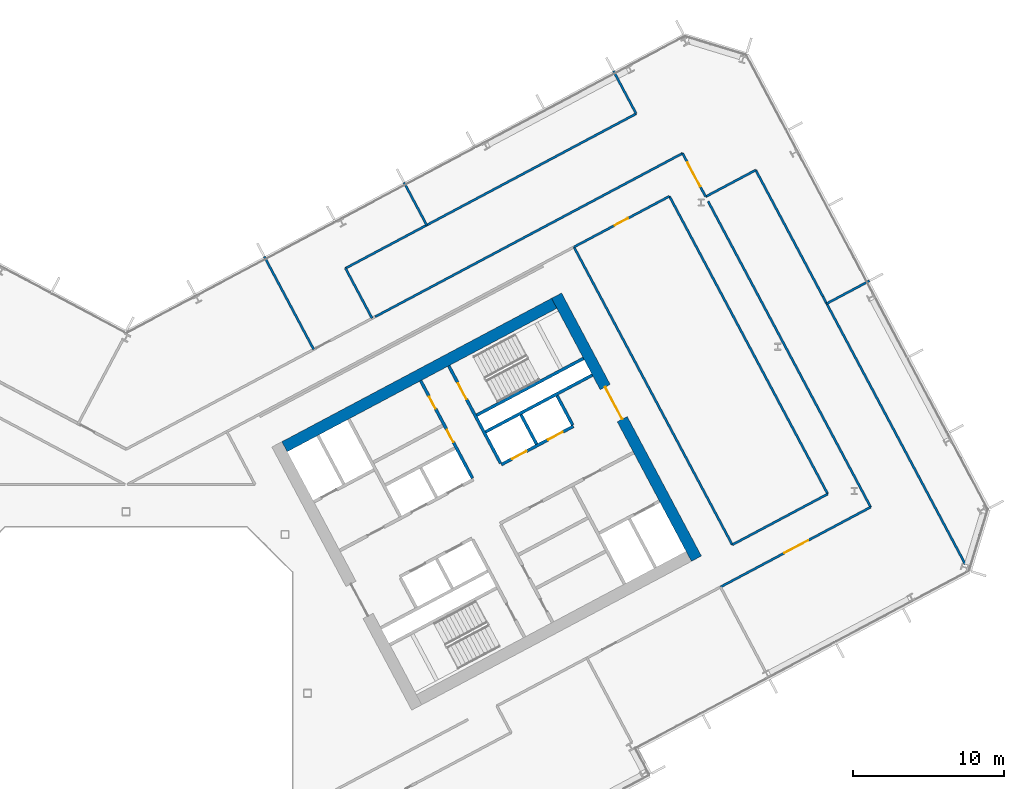
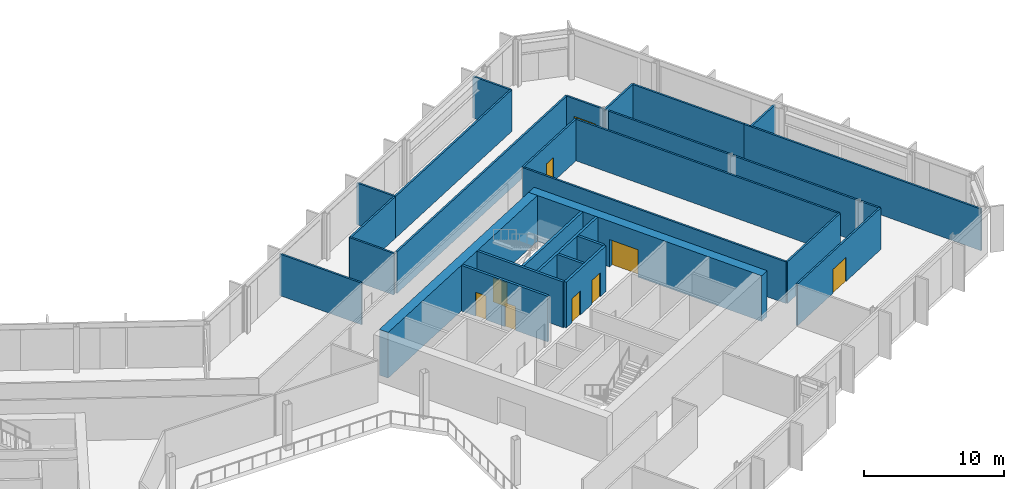
# One storey, part 17 of 28: 27 walls, 9 doors, 9 openings.
"""IFC4 building model written with IfcOpenShell, lengths in metres."""

from ifc_helpers import new_model, si_unit, direction, frame, frame_2d, origin, place, context, subcontext, project, spatial, rectangle, extrude, material, layer, layer_set, type_object, element, fill, save


model = new_model("IFC4")

# Units and contexts
model_context = context("Model", 3, precision=1e-05, world=origin(), true_north=direction((0.0, 1.0)))
body_context = subcontext(model_context, "Body", "Model", "MODEL_VIEW")
ifc_project = project(units=[si_unit("LENGTHUNIT", "METRE"), si_unit("AREAUNIT", "SQUARE_METRE"), si_unit("VOLUMEUNIT", "CUBIC_METRE"), si_unit("PLANEANGLEUNIT", "RADIAN"), si_unit("MASSUNIT", "GRAM", prefix="KILO")], contexts=[model_context])

# Site, building, storey
site_placement = place(None, origin())
site = spatial("IfcSite", under=ifc_project, at=site_placement, CompositionType="ELEMENT")
building_placement = place(site_placement, origin())
building = spatial("IfcBuilding", under=site, at=building_placement, Name="Cormorant Relay Tower", CompositionType="ELEMENT")
storey_placement = place(building_placement, frame((0.0, 0.0, 138.199951171875)))
storey = spatial("IfcBuildingStorey", under=building, at=storey_placement, Name="L28", CompositionType="ELEMENT", Elevation=138.199951171875)

# Wall
ifc_material_1 = material(Name="Concrete 40 MPa", Category="concrete")
ifc_layer_1 = layer(ifc_material_1, 0.199951171875)
ifc_layer_set_1 = layer_set([ifc_layer_1], Name="Core internal wall 200")
wall_type_1 = type_object("IfcWallType", Name="Core internal wall 200", PredefinedType="SOLIDWALL", material=ifc_layer_set_1)
wall_1_placement = place(storey_placement, frame((27.144287109375, 16.471435546875, 0.0), z_axis=(0.0, 0.0, 1.0), x_axis=(-0.469401318492, 0.882984938828, 0.0)))
element("IfcWall", 1, at=wall_1_placement, inside=storey, type_object=wall_type_1, Name="L28 core B shaft and room wall", PredefinedType="SOLIDWALL", context=body_context, shape_type="SweptSolid", body=[
    extrude(rectangle(XDim=2.199951171875, YDim=0.199951171875, at=frame_2d((1.10009765625, 0.0))), origin(), (0.0, 0.0, 1.0), 4.0),
])

# Wall, openings, doors
ifc_material_2 = material(Name="Concrete 50 MPa", Category="concrete")
ifc_layer_2 = layer(ifc_material_2, 0.199951171875)
ifc_layer_set_2 = layer_set([ifc_layer_2], Name="Core shaft wall 200")
wall_type_2 = type_object("IfcWallType", Name="Core shaft wall 200", PredefinedType="SHEAR", material=ifc_layer_set_2)
wall_2_placement = place(storey_placement, frame((22.90625, 14.218017578125, 0.0), z_axis=(0.0, 0.0, 1.0), x_axis=(-0.469480409012, 0.88294288918, 0.0)))
wall_2 = element("IfcWall", 2, at=wall_2_placement, inside=storey, type_object=wall_type_2, Name="L28 core B shaft wall", PredefinedType="SHEAR", context=body_context, shape_type="SweptSolid", body=[
    extrude(rectangle(XDim=7.300048828125, YDim=0.199951171875, at=frame_2d((3.64990234375, 0.0))), origin(), (0.0, 0.0, 1.0), 4.0),
])
opening_1_placement = place(wall_2_placement, frame((2.699951171875, 0.0, 0.0)))
opening_1 = element("IfcOpeningElement", 3, at=opening_1_placement, cuts=wall_2, Name="Opening CDD-192", PredefinedType="OPENING", context=body_context, shape_type="SweptSolid", body=[
    extrude(rectangle(XDim=0.89990234375, YDim=2.10009765625, at=frame_2d((0.449951171875, 1.050048828125))), frame((0.0, 0.10986328125, 0.0), z_axis=(0.0, -1.0, 0.0), x_axis=(1.0, 0.0, 0.0)), (0.0, 0.0, 1.0), 0.219970703125),
])
opening_2_placement = place(wall_2_placement, frame((5.199951171875, 0.0, 0.0)))
opening_2 = element("IfcOpeningElement", 4, at=opening_2_placement, cuts=wall_2, Name="Opening CDD-193", PredefinedType="OPENING", context=body_context, shape_type="SweptSolid", body=[
    extrude(rectangle(XDim=0.89990234375, YDim=2.10009765625, at=frame_2d((0.449951171875, 1.050048828125))), frame((0.0, 0.10986328125, 0.0), z_axis=(0.0, -1.0, 0.0), x_axis=(1.0, 0.0, 0.0)), (0.0, 0.0, 1.0), 0.219970703125),
])
ifc_material_3 = material(Name="Steel fire door", Category="steel")
door_type_1 = type_object("IfcDoorType", Name="Core room door 900x2100", OperationType="SINGLE_SWING_LEFT", PredefinedType="DOOR", material=ifc_material_3)
door_1_placement = place(opening_1_placement, origin())
door_1 = element("IfcDoor", 5, at=door_1_placement, inside=storey, type_object=door_type_1, Name="Core room door 900x2100", OperationType="SINGLE_SWING_RIGHT", OverallHeight=2.10009765625, OverallWidth=0.89990234375, PredefinedType="DOOR", context=body_context, shape_type="SweptSolid", body=[
    extrude(rectangle(XDim=0.89990234375, YDim=2.10009765625, at=frame_2d((0.449951171875, 1.050048828125))), frame((0.0, 0.02490234375, 0.0), z_axis=(0.0, -1.0, 0.0), x_axis=(1.0, 0.0, 0.0)), (0.0, 0.0, 1.0), 0.050048828125),
])
fill(opening_1, door_1)
door_2_placement = place(opening_2_placement, origin())
door_2 = element("IfcDoor", 6, at=door_2_placement, inside=storey, type_object=door_type_1, Name="Core room door 900x2100", OperationType="SINGLE_SWING_LEFT", OverallHeight=2.10009765625, OverallWidth=0.89990234375, PredefinedType="DOOR", context=body_context, shape_type="SweptSolid", body=[
    extrude(rectangle(XDim=0.89990234375, YDim=2.10009765625, at=frame_2d((0.449951171875, 1.050048828125))), frame((0.0, 0.02490234375, 0.0), z_axis=(0.0, -1.0, 0.0), x_axis=(1.0, 0.0, 0.0)), (0.0, 0.0, 1.0), 0.050048828125),
])
fill(opening_2, door_2)

# Wall, opening, door
wall_3_placement = place(storey_placement, frame((24.760498046875, 15.2041015625, 0.0), z_axis=(0.0, 0.0, 1.0), x_axis=(-0.469494272526, 0.882935517501, 0.0)))
wall_3 = element("IfcWall", 7, at=wall_3_placement, inside=storey, type_object=wall_type_2, Name="L28 core B shaft wall", PredefinedType="SHEAR", context=body_context, shape_type="SweptSolid", body=[
    extrude(rectangle(XDim=7.2998046875, YDim=0.199951171875, at=frame_2d((3.64990234375, 0.0))), origin(), (0.0, 0.0, 1.0), 4.0),
])
opening_3_placement = place(wall_3_placement, frame((4.800048828125, 0.0, 0.0)))
opening_3 = element("IfcOpeningElement", 8, at=opening_3_placement, cuts=wall_3, Name="Opening CDB-037", PredefinedType="OPENING", context=body_context, shape_type="SweptSolid", body=[
    extrude(rectangle(XDim=1.199951171875, YDim=2.10009765625, at=frame_2d((0.60009765625, 1.050048828125))), frame((0.0, 0.10986328125, 0.0), z_axis=(0.0, -1.0, 0.0), x_axis=(1.0, 0.0, 0.0)), (0.0, 0.0, 1.0), 0.219970703125),
])
ifc_material_4 = material(Name="Steel fire door", Category="steel")
door_type_2 = type_object("IfcDoorType", Name="Core stair door 1200x2100", OperationType="SINGLE_SWING_LEFT", PredefinedType="DOOR", material=ifc_material_4)
door_3_placement = place(opening_3_placement, frame((1.199951171875, 0.0, 0.0), z_axis=(0.0, 0.0, 1.0), x_axis=(-1.0, 0.0, 0.0)))
door_3 = element("IfcDoor", 9, at=door_3_placement, inside=storey, type_object=door_type_2, Name="Core stair door 1200x2100", OperationType="SINGLE_SWING_RIGHT", OverallHeight=2.10009765625, OverallWidth=1.199951171875, PredefinedType="DOOR", context=body_context, shape_type="SweptSolid", body=[
    extrude(rectangle(XDim=1.199951171875, YDim=2.10009765625, at=frame_2d((0.60009765625, 1.050048828125))), frame((0.0, 0.02490234375, 0.0), z_axis=(0.0, -1.0, 0.0), x_axis=(1.0, 0.0, 0.0)), (0.0, 0.0, 1.0), 0.050048828125),
])
fill(opening_3, door_3)

# Wall
wall_4_placement = place(storey_placement, frame((29.5283203125, 17.739013671875, 0.0), z_axis=(0.0, 0.0, 1.0), x_axis=(-0.469401318492, 0.882984938828, 0.0)))
element("IfcWall", 10, at=wall_4_placement, inside=storey, type_object=wall_type_2, Name="L28 core B shaft wall", PredefinedType="SHEAR", context=body_context, shape_type="SweptSolid", body=[
    extrude(rectangle(XDim=2.199951171875, YDim=0.199951171875, at=frame_2d((1.10009765625, 0.0))), origin(), (0.0, 0.0, 1.0), 4.0),
])

# Wall, openings, doors
wall_5_placement = place(storey_placement, frame((24.807373046875, 15.11572265625, 0.0), z_axis=(0.0, 0.0, 1.0), x_axis=(0.882942972946, 0.469480251476, 0.0)))
wall_5 = element("IfcWall", 11, at=wall_5_placement, inside=storey, type_object=wall_type_2, Name="L28 core B shaft wall", PredefinedType="SHEAR", context=body_context, shape_type="SweptSolid", body=[
    extrude(rectangle(XDim=5.39990234375, YDim=0.199951171875, at=frame_2d((2.699951171875, 0.0))), origin(), (0.0, 0.0, 1.0), 4.0),
])
opening_4_placement = place(wall_5_placement, frame((0.800048828125, 0.0, 0.0)))
opening_4 = element("IfcOpeningElement", 12, at=opening_4_placement, cuts=wall_5, Name="Opening LD1-046", PredefinedType="OPENING", context=body_context, shape_type="SweptSolid", body=[
    extrude(rectangle(XDim=1.10009765625, YDim=2.10009765625, at=frame_2d((0.550048828125, 1.050048828125))), frame((0.0, 0.10986328125, 0.0), z_axis=(0.0, -1.0, 0.0), x_axis=(1.0, 0.0, 0.0)), (0.0, 0.0, 1.0), 0.219970703125),
])
opening_5_placement = place(wall_5_placement, frame((3.5, 0.0, 0.0)))
opening_5 = element("IfcOpeningElement", 13, at=opening_5_placement, cuts=wall_5, Name="Opening LD1-047", PredefinedType="OPENING", context=body_context, shape_type="SweptSolid", body=[
    extrude(rectangle(XDim=1.10009765625, YDim=2.10009765625, at=frame_2d((0.550048828125, 1.050048828125))), frame((0.0, 0.10986328125, 0.0), z_axis=(0.0, -1.0, 0.0), x_axis=(1.0, 0.0, 0.0)), (0.0, 0.0, 1.0), 0.219970703125),
])
ifc_material_5 = material(Name="Stainless steel 316", Category="steel")
door_type_3 = type_object("IfcDoorType", Name="Lift landing door 1100x2100", OperationType="DOUBLE_DOOR_SLIDING", PredefinedType="DOOR", material=ifc_material_5)
door_4_placement = place(opening_4_placement, origin())
door_4 = element("IfcDoor", 14, at=door_4_placement, inside=storey, type_object=door_type_3, Name="LR3 landing door", OperationType="DOUBLE_DOOR_SLIDING", OverallHeight=2.10009765625, OverallWidth=1.10009765625, PredefinedType="DOOR", context=body_context, shape_type="SweptSolid", body=[
    extrude(rectangle(XDim=1.10009765625, YDim=2.10009765625, at=frame_2d((0.550048828125, 1.050048828125))), frame((0.0, 0.02490234375, 0.0), z_axis=(0.0, -1.0, 0.0), x_axis=(1.0, 0.0, 0.0)), (0.0, 0.0, 1.0), 0.050048828125),
])
fill(opening_4, door_4)
door_5_placement = place(opening_5_placement, origin())
door_5 = element("IfcDoor", 15, at=door_5_placement, inside=storey, type_object=door_type_3, Name="LR4 landing door", OperationType="DOUBLE_DOOR_SLIDING", OverallHeight=2.10009765625, OverallWidth=1.10009765625, PredefinedType="DOOR", context=body_context, shape_type="SweptSolid", body=[
    extrude(rectangle(XDim=1.10009765625, YDim=2.10009765625, at=frame_2d((0.550048828125, 1.050048828125))), frame((0.0, 0.02490234375, 0.0), z_axis=(0.0, -1.0, 0.0), x_axis=(1.0, 0.0, 0.0)), (0.0, 0.0, 1.0), 0.050048828125),
])
fill(opening_5, door_5)

# Walls
wall_6_placement = place(storey_placement, frame((23.76904296875, 17.28173828125, 0.0), z_axis=(0.0, 0.0, 1.0), x_axis=(0.882940221191, 0.469485426614, 0.0)))
element("IfcWall", 16, at=wall_6_placement, inside=storey, type_object=wall_type_2, Name="L28 core B shaft wall", PredefinedType="SHEAR", context=body_context, shape_type="SweptSolid", body=[
    extrude(rectangle(XDim=8.0, YDim=0.199951171875, at=frame_2d((4.0, 0.0))), origin(), (0.0, 0.0, 1.0), 4.0),
])
wall_7_placement = place(storey_placement, frame((23.18212890625, 18.385498046875, 0.0), z_axis=(0.0, 0.0, 1.0), x_axis=(0.88295287151, 0.469461634952, 0.0)))
element("IfcWall", 17, at=wall_7_placement, inside=storey, type_object=wall_type_2, Name="L28 core B shaft wall", PredefinedType="SHEAR", context=body_context, shape_type="SweptSolid", body=[
    extrude(rectangle(XDim=7.999755859375, YDim=0.199951171875, at=frame_2d((4.0, 0.0))), origin(), (0.0, 0.0, 1.0), 4.0),
])

# Wall, opening, door
ifc_material_6 = material(Name="Concrete 60 MPa", Category="concrete")
ifc_layer_3 = layer(ifc_material_6, 0.75)
ifc_layer_set_3 = layer_set([ifc_layer_3], Name="Core wall 750")
wall_type_3 = type_object("IfcWallType", Name="Core wall 750", PredefinedType="SHEAR", material=ifc_layer_set_3)
wall_8_placement = place(storey_placement, frame((37.712646484375, 8.896484375, 0.0), z_axis=(0.0, 0.0, 1.0), x_axis=(-0.469469918705, 0.88294846703, 0.0)))
wall_8 = element("IfcWall", 18, at=wall_8_placement, inside=storey, type_object=wall_type_3, Name="L28 core B wall", PredefinedType="SHEAR", context=body_context, shape_type="SweptSolid", body=[
    extrude(rectangle(XDim=19.699951171875, YDim=0.75, at=frame_2d((9.85009765625, 0.0))), origin(), (0.0, 0.0, 1.0), 4.0),
])
opening_6_placement = place(wall_8_placement, frame((10.449951171875, 0.0, 0.0)))
opening_6 = element("IfcOpeningElement", 19, at=opening_6_placement, cuts=wall_8, Name="Opening CDA-029", PredefinedType="OPENING", context=body_context, shape_type="SweptSolid", body=[
    extrude(rectangle(XDim=2.39990234375, YDim=2.39990234375, at=frame_2d((1.199951171875, 1.199951171875))), frame((0.0, 0.385009765625, 0.0), z_axis=(0.0, -1.0, 0.0), x_axis=(1.0, 0.0, 0.0)), (0.0, 0.0, 1.0), 0.77001953125),
])
ifc_material_7 = material(Name="Steel fire door", Category="steel")
door_type_4 = type_object("IfcDoorType", Name="Core lobby door 2400x2400", OperationType="DOUBLE_DOOR_SINGLE_SWING", PredefinedType="DOOR", material=ifc_material_7)
door_6_placement = place(opening_6_placement, origin())
door_6 = element("IfcDoor", 20, at=door_6_placement, inside=storey, type_object=door_type_4, Name="Core lobby door 2400x2400", OperationType="DOUBLE_DOOR_SINGLE_SWING", OverallHeight=2.39990234375, OverallWidth=2.39990234375, PredefinedType="DOOR", context=body_context, shape_type="SweptSolid", body=[
    extrude(rectangle(XDim=2.39990234375, YDim=2.39990234375, at=frame_2d((1.199951171875, 1.199951171875))), frame((0.0, 0.02490234375, 0.0), z_axis=(0.0, -1.0, 0.0), x_axis=(1.0, 0.0, 0.0)), (0.0, 0.0, 1.0), 0.050048828125),
])
fill(opening_6, door_6)

# Wall
wall_9_placement = place(storey_placement, frame((10.4736328125, 16.300048828125, 0.0), z_axis=(0.0, 0.0, 1.0), x_axis=(0.88295010195, 0.469466843842, 0.0)))
element("IfcWall", 21, at=wall_9_placement, inside=storey, type_object=wall_type_3, Name="L28 core B wall", PredefinedType="SHEAR", context=body_context, shape_type="SweptSolid", body=[
    extrude(rectangle(XDim=20.199951171875, YDim=0.75, at=frame_2d((10.10009765625, 0.0))), origin(), (0.0, 0.0, 1.0), 4.0),
])

# Wall, opening, door
ifc_material_8 = material(Name="Gypsum board fire partition")
ifc_layer_4 = layer(ifc_material_8, 0.14990234375)
ifc_layer_set_4 = layer_set([ifc_layer_4], Name="Corridor partition 150 EI 60")
wall_type_4 = type_object("IfcWallType", Name="Corridor partition 150 EI 60", PredefinedType="PARTITIONING", material=ifc_layer_set_4)
wall_10_placement = place(storey_placement, frame((38.318115234375, 32.840087890625, 0.0), z_axis=(0.0, 0.0, 1.0), x_axis=(-0.469716602495, 0.882817259313, 0.0)))
wall_10 = element("IfcWall", 22, at=wall_10_placement, inside=storey, type_object=wall_type_4, Name="wall/L28/part/060", PredefinedType="PARTITIONING", context=body_context, shape_type="SweptSolid", body=[
    extrude(rectangle(XDim=3.24267578125, YDim=0.14990234375, at=frame_2d((1.621337890625, 0.0))), origin(), (0.0, 0.0, 1.0), 3.64013671875),
])
opening_7_placement = place(wall_10_placement, frame((0.75, 0.0, 0.0)))
opening_7 = element("IfcOpeningElement", 23, at=opening_7_placement, cuts=wall_10, Name="Opening DD-008", PredefinedType="OPENING", context=body_context, shape_type="SweptSolid", body=[
    extrude(rectangle(XDim=1.800048828125, YDim=2.10009765625, at=frame_2d((0.89990234375, 1.050048828125))), frame((0.0, 0.0849609375, 0.0), z_axis=(0.0, -1.0, 0.0), x_axis=(1.0, 0.0, 0.0)), (0.0, 0.0, 1.0), 0.169921875),
])
ifc_material_9 = material(Name="Timber door leaf", Category="wood")
door_type_5 = type_object("IfcDoorType", Name="Suite double door 1800x2100", OperationType="DOUBLE_DOOR_SINGLE_SWING", PredefinedType="DOOR", material=ifc_material_9)
door_7_placement = place(opening_7_placement, frame((1.800048828125, 0.0, 0.0), z_axis=(0.0, 0.0, 1.0), x_axis=(-1.0, 0.0, 0.0)))
door_7 = element("IfcDoor", 24, at=door_7_placement, inside=storey, type_object=door_type_5, Name="door/L28/007", OperationType="DOUBLE_DOOR_SINGLE_SWING", OverallHeight=2.10009765625, OverallWidth=1.800048828125, PredefinedType="DOOR", context=body_context, shape_type="SweptSolid", body=[
    extrude(rectangle(XDim=1.800048828125, YDim=2.10009765625, at=frame_2d((0.89990234375, 1.050048828125))), frame((0.0, 0.02490234375, 0.0), z_axis=(0.0, -1.0, 0.0), x_axis=(1.0, 0.0, 0.0)), (0.0, 0.0, 1.0), 0.050048828125),
])
fill(opening_7, door_7)

# Wall
wall_11_placement = place(storey_placement, frame((36.794921875, 35.702880859375, 0.0), z_axis=(0.0, 0.0, 1.0), x_axis=(-0.882943092456, -0.469480026716, 0.0)))
element("IfcWall", 25, at=wall_11_placement, inside=storey, type_object=wall_type_4, Name="wall/L28/part/061", PredefinedType="PARTITIONING", context=body_context, shape_type="SweptSolid", body=[
    extrude(rectangle(XDim=23.025146484375, YDim=0.14990234375, at=frame_2d((11.5126953125, 0.0))), origin(), (0.0, 0.0, 1.0), 3.64013671875),
])

# Wall, opening, door
wall_12_placement = place(storey_placement, frame((29.614013671875, 29.507080078125, 0.0), z_axis=(0.0, 0.0, 1.0), x_axis=(0.882989239747, 0.469393227998, 0.0)))
wall_12 = element("IfcWall", 26, at=wall_12_placement, inside=storey, type_object=wall_type_4, Name="wall/L28/part/069", PredefinedType="PARTITIONING", context=body_context, shape_type="SweptSolid", body=[
    extrude(rectangle(XDim=7.149658203125, YDim=0.14990234375, at=frame_2d((3.57470703125, 0.0))), origin(), (0.0, 0.0, 1.0), 3.64013671875),
])
opening_8_placement = place(wall_12_placement, frame((3.050048828125, 0.0, 0.0)))
opening_8 = element("IfcOpeningElement", 27, at=opening_8_placement, cuts=wall_12, Name="Opening DS-034", PredefinedType="OPENING", context=body_context, shape_type="SweptSolid", body=[
    extrude(rectangle(XDim=1.0, YDim=2.10009765625, at=frame_2d((0.5, 1.050048828125))), frame((0.0, 0.0849609375, 0.0), z_axis=(0.0, -1.0, 0.0), x_axis=(1.0, 0.0, 0.0)), (0.0, 0.0, 1.0), 0.169921875),
])
ifc_material_10 = material(Name="Timber door leaf", Category="wood")
door_type_6 = type_object("IfcDoorType", Name="Suite door 1000x2100", OperationType="SINGLE_SWING_LEFT", PredefinedType="DOOR", material=ifc_material_10)
door_8_placement = place(opening_8_placement, origin())
door_8 = element("IfcDoor", 28, at=door_8_placement, inside=storey, type_object=door_type_6, Name="door/L28/021", OperationType="SINGLE_SWING_LEFT", OverallHeight=2.10009765625, OverallWidth=1.0, PredefinedType="DOOR", context=body_context, shape_type="SweptSolid", body=[
    extrude(rectangle(XDim=1.0, YDim=2.10009765625, at=frame_2d((0.5, 1.050048828125))), frame((0.0, 0.02490234375, 0.0), z_axis=(0.0, -1.0, 0.0), x_axis=(1.0, 0.0, 0.0)), (0.0, 0.0, 1.0), 0.050048828125),
])
fill(opening_8, door_8)

# Walls
wall_13_placement = place(storey_placement, frame((35.927001953125, 32.863037109375, 0.0), z_axis=(0.0, 0.0, 1.0), x_axis=(0.469478059645, -0.882944138387, 0.0)))
element("IfcWall", 29, at=wall_13_placement, inside=storey, type_object=wall_type_4, Name="wall/L28/part/070", PredefinedType="PARTITIONING", context=body_context, shape_type="SweptSolid", body=[
    extrude(rectangle(XDim=22.29931640625, YDim=0.14990234375, at=frame_2d((11.149658203125, 0.0))), origin(), (0.0, 0.0, 1.0), 3.64013671875),
])
wall_14_placement = place(storey_placement, frame((46.39599609375, 13.174072265625, 0.0), z_axis=(0.0, 0.0, 1.0), x_axis=(-0.882918469701, -0.469526331381, 0.0)))
element("IfcWall", 30, at=wall_14_placement, inside=storey, type_object=wall_type_4, Name="wall/L28/part/071", PredefinedType="PARTITIONING", context=body_context, shape_type="SweptSolid", body=[
    extrude(rectangle(XDim=7.150146484375, YDim=0.14990234375, at=frame_2d((3.5751953125, 0.0))), origin(), (0.0, 0.0, 1.0), 3.64013671875),
])
wall_15_placement = place(storey_placement, frame((40.0830078125, 9.81689453125, 0.0), z_axis=(0.0, 0.0, 1.0), x_axis=(-0.469455368788, 0.88295620317, 0.0)))
element("IfcWall", 31, at=wall_15_placement, inside=storey, type_object=wall_type_4, Name="wall/L28/part/076", PredefinedType="PARTITIONING", context=body_context, shape_type="SweptSolid", body=[
    extrude(rectangle(XDim=22.30029296875, YDim=0.14990234375, at=frame_2d((11.150146484375, 0.0))), origin(), (0.0, 0.0, 1.0), 3.64013671875),
])

# Wall, opening, door
wall_16_placement = place(storey_placement, frame((39.321044921875, 7.033935546875, 0.0), z_axis=(0.0, 0.0, 1.0), x_axis=(0.882945641188, 0.469475233326, 0.0)))
wall_16 = element("IfcWall", 32, at=wall_16_placement, inside=storey, type_object=wall_type_4, Name="wall/L28/part/080", PredefinedType="PARTITIONING", context=body_context, shape_type="SweptSolid", body=[
    extrude(rectangle(XDim=11.2294921875, YDim=0.14990234375, at=frame_2d((5.61474609375, 0.0))), origin(), (0.0, 0.0, 1.0), 3.64013671875),
])
opening_9_placement = place(wall_16_placement, frame((4.7509765625, 0.0, 0.0)))
opening_9 = element("IfcOpeningElement", 33, at=opening_9_placement, cuts=wall_16, Name="Opening DD-007", PredefinedType="OPENING", context=body_context, shape_type="SweptSolid", body=[
    extrude(rectangle(XDim=1.800048828125, YDim=2.10009765625, at=frame_2d((0.89990234375, 1.050048828125))), frame((0.0, 0.0849609375, 0.0), z_axis=(0.0, -1.0, 0.0), x_axis=(1.0, 0.0, 0.0)), (0.0, 0.0, 1.0), 0.169921875),
])
door_9_placement = place(opening_9_placement, frame((1.800048828125, 0.0, 0.0), z_axis=(0.0, 0.0, 1.0), x_axis=(-1.0, 0.0, 0.0)))
door_9 = element("IfcDoor", 34, at=door_9_placement, inside=storey, type_object=door_type_5, Name="door/L28/006", OperationType="DOUBLE_DOOR_SINGLE_SWING", OverallHeight=2.10009765625, OverallWidth=1.800048828125, PredefinedType="DOOR", context=body_context, shape_type="SweptSolid", body=[
    extrude(rectangle(XDim=1.800048828125, YDim=2.10009765625, at=frame_2d((0.89990234375, 1.050048828125))), frame((0.0, 0.02490234375, 0.0), z_axis=(0.0, -1.0, 0.0), x_axis=(1.0, 0.0, 0.0)), (0.0, 0.0, 1.0), 0.050048828125),
])
fill(opening_9, door_9)

# Walls
wall_17_placement = place(storey_placement, frame((38.48291015625, 32.529052734375, 0.0), z_axis=(0.0, 0.0, 1.0), x_axis=(0.469465364691, -0.882950888416, 0.0)))
element("IfcWall", 35, at=wall_17_placement, inside=storey, type_object=wall_type_4, Name="wall/L28/part/081", PredefinedType="PARTITIONING", context=body_context, shape_type="SweptSolid", body=[
    extrude(rectangle(XDim=22.905029296875, YDim=0.14990234375, at=frame_2d((11.45263671875, 0.0))), origin(), (0.0, 0.0, 1.0), 3.64013671875),
])
ifc_material_11 = material(Name="Gypsum board partition")
ifc_layer_5 = layer(ifc_material_11, 0.14990234375)
ifc_layer_set_5 = layer_set([ifc_layer_5], Name="Tenant partition 150")
wall_type_5 = type_object("IfcWallType", Name="Tenant partition 150", PredefinedType="PARTITIONING", material=ifc_layer_set_5)
wall_18_placement = place(storey_placement, frame((9.139892578125, 28.8701171875, 0.0), z_axis=(0.0, 0.0, 1.0), x_axis=(0.469526748636, -0.88291824781, 0.0)))
element("IfcWall", 36, at=wall_18_placement, inside=storey, type_object=wall_type_5, Name="wall/L28/part/052", PredefinedType="PARTITIONING", context=body_context, shape_type="SweptSolid", body=[
    extrude(rectangle(XDim=6.949951171875, YDim=0.14990234375, at=frame_2d((3.47509765625, 0.0))), origin(), (0.0, 0.0, 1.0), 3.64013671875),
])
wall_19_placement = place(storey_placement, frame((14.507080078125, 28.10009765625, 0.0), z_axis=(0.0, 0.0, 1.0), x_axis=(0.469217340227, -0.883082718453, 0.0)))
element("IfcWall", 37, at=wall_19_placement, inside=storey, type_object=wall_type_5, Name="wall/L28/part/058", PredefinedType="PARTITIONING", context=body_context, shape_type="SweptSolid", body=[
    extrude(rectangle(XDim=3.73583984375, YDim=0.14990234375, at=frame_2d((1.867919921875, 0.0))), origin(), (0.0, 0.0, 1.0), 3.64013671875),
])
wall_20_placement = place(storey_placement, frame((14.506103515625, 28.09912109375, 0.0), z_axis=(0.0, 0.0, 1.0), x_axis=(0.882951640414, 0.469463950363, 0.0)))
element("IfcWall", 38, at=wall_20_placement, inside=storey, type_object=wall_type_5, Name="wall/L28/part/059", PredefinedType="PARTITIONING", context=body_context, shape_type="SweptSolid", body=[
    extrude(rectangle(XDim=6.031982421875, YDim=0.14990234375, at=frame_2d((3.01611328125, 0.0))), origin(), (0.0, 0.0, 1.0), 3.64013671875),
])
wall_21_placement = place(storey_placement, frame((18.3740234375, 33.780029296875, 0.0), z_axis=(0.0, 0.0, 1.0), x_axis=(0.469685095616, -0.882834022315, 0.0)))
element("IfcWall", 39, at=wall_21_placement, inside=storey, type_object=wall_type_5, Name="wall/L28/part/062", PredefinedType="PARTITIONING", context=body_context, shape_type="SweptSolid", body=[
    extrude(rectangle(XDim=3.199951171875, YDim=0.14990234375, at=frame_2d((1.60009765625, 0.0))), origin(), (0.0, 0.0, 1.0), 3.64013671875),
])
wall_22_placement = place(storey_placement, frame((19.83203125, 30.930908203125, 0.0), z_axis=(0.0, 0.0, 1.0), x_axis=(0.88293368678, 0.469497715382, 0.0)))
element("IfcWall", 40, at=wall_22_placement, inside=storey, type_object=wall_type_5, Name="wall/L28/part/065", PredefinedType="PARTITIONING", context=body_context, shape_type="SweptSolid", body=[
    extrude(rectangle(XDim=15.738525390625, YDim=0.14990234375, at=frame_2d((7.869140625, 0.0))), origin(), (0.0, 0.0, 1.0), 3.64013671875),
])
wall_23_placement = place(storey_placement, frame((33.72802734375, 38.320068359375, 0.0), z_axis=(0.0, 0.0, 1.0), x_axis=(-0.469320691295, 0.883027796121, 0.0)))
element("IfcWall", 41, at=wall_23_placement, inside=storey, type_object=wall_type_5, Name="wall/L28/part/066", PredefinedType="PARTITIONING", context=body_context, shape_type="SweptSolid", body=[
    extrude(rectangle(XDim=3.2001953125, YDim=0.14990234375, at=frame_2d((1.60009765625, 0.0))), origin(), (0.0, 0.0, 1.0), 3.64013671875),
])
wall_24_placement = place(storey_placement, frame((46.0810546875, 26.22607421875, 0.0), z_axis=(0.0, 0.0, 1.0), x_axis=(-0.469444635522, 0.882961909812, 0.0)))
element("IfcWall", 42, at=wall_24_placement, inside=storey, type_object=wall_type_5, Name="wall/L28/part/078", PredefinedType="PARTITIONING", context=body_context, shape_type="SweptSolid", body=[
    extrude(rectangle(XDim=9.47705078125, YDim=0.14990234375, at=frame_2d((4.738525390625, 0.0))), origin(), (0.0, 0.0, 1.0), 3.64013671875),
])
wall_25_placement = place(storey_placement, frame((41.632080078125, 34.593994140625, 0.0), z_axis=(0.0, 0.0, 1.0), x_axis=(-0.883031968756, -0.46931284039, 0.0)))
element("IfcWall", 43, at=wall_25_placement, inside=storey, type_object=wall_type_5, Name="wall/L28/part/079", PredefinedType="PARTITIONING", context=body_context, shape_type="SweptSolid", body=[
    extrude(rectangle(XDim=3.737060546875, YDim=0.14990234375, at=frame_2d((1.86865234375, 0.0))), origin(), (0.0, 0.0, 1.0), 3.64013671875),
])
wall_26_placement = place(storey_placement, frame((46.0810546875, 26.22607421875, 0.0), z_axis=(0.0, 0.0, 1.0), x_axis=(0.469497962096, -0.88293355559, 0.0)))
element("IfcWall", 44, at=wall_26_placement, inside=storey, type_object=wall_type_5, Name="wall/L28/part/082", PredefinedType="PARTITIONING", context=body_context, shape_type="SweptSolid", body=[
    extrude(rectangle(XDim=20.031982421875, YDim=0.14990234375, at=frame_2d((10.01611328125, 0.0))), origin(), (0.0, 0.0, 1.0), 3.64013671875),
])
wall_27_placement = place(storey_placement, frame((49.152099609375, 27.26806640625, 0.0), z_axis=(0.0, 0.0, 1.0), x_axis=(-0.882819217955, -0.469712921271, 0.0)))
element("IfcWall", 45, at=wall_27_placement, inside=storey, type_object=wall_type_5, Name="wall/L28/part/083", PredefinedType="PARTITIONING", context=body_context, shape_type="SweptSolid", body=[
    extrude(rectangle(XDim=3.2001953125, YDim=0.14990234375, at=frame_2d((1.60009765625, 0.0))), origin(), (0.0, 0.0, 1.0), 3.64013671875),
])

save(model, "model.ifc")
